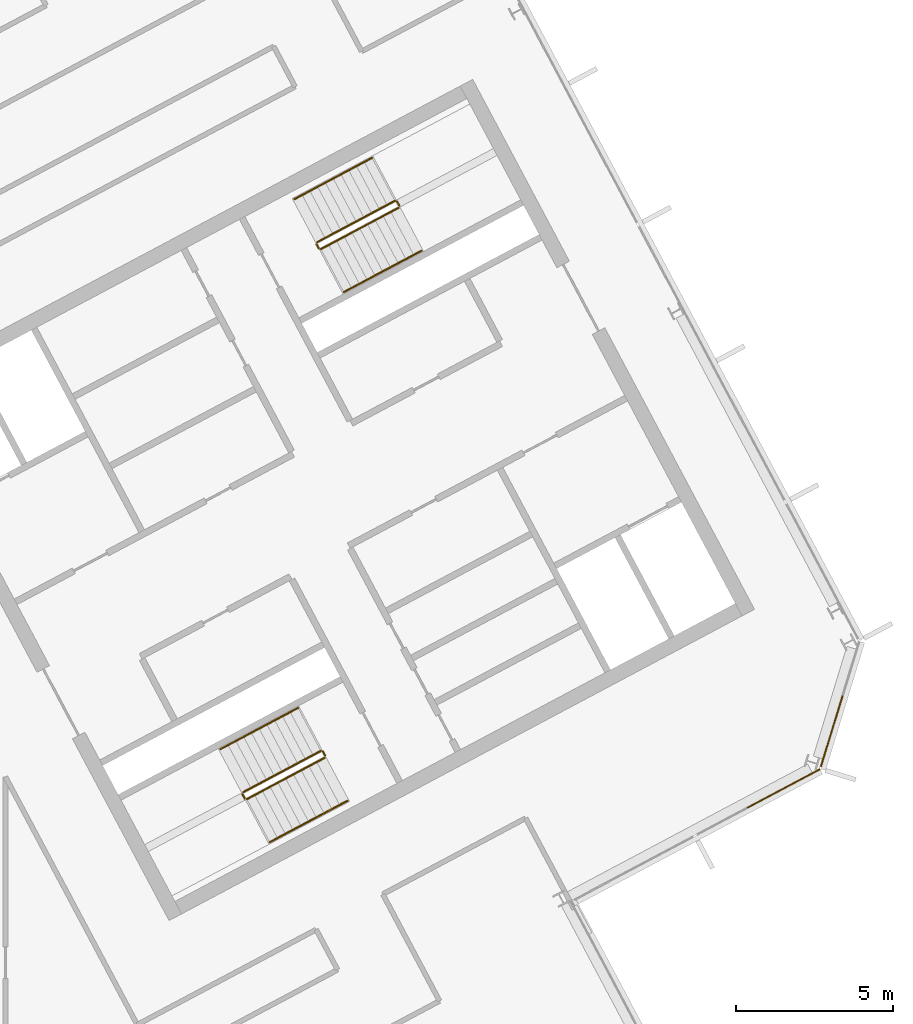
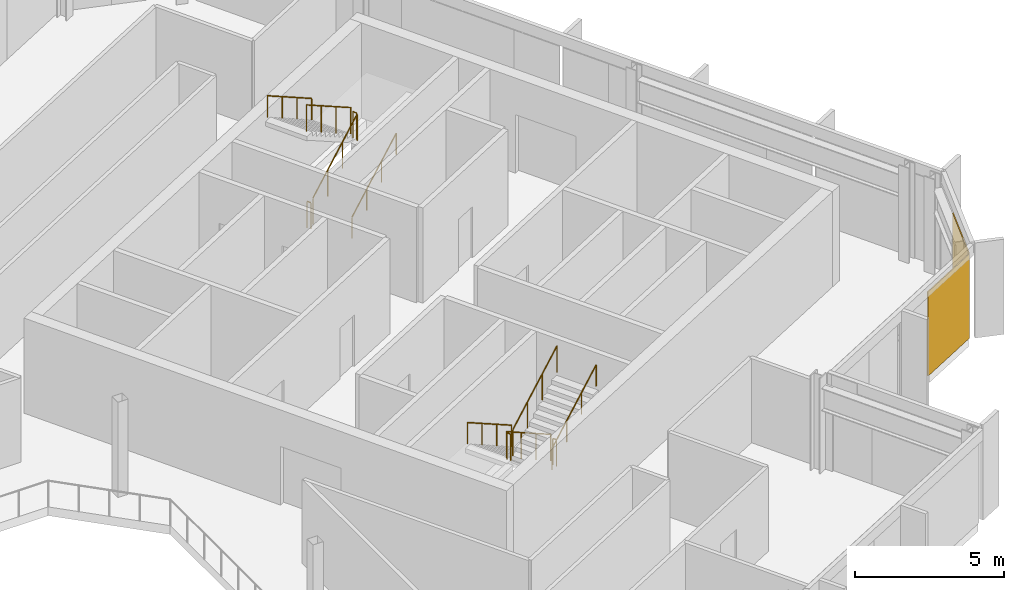
# One storey, part 25 of 26: 12 railings, 2 coverings, 2 elements without a shape of their own.
"""IFC4 building model written with IfcOpenShell, lengths in metres."""

from ifc_helpers import new_model, si_unit, direction, frame, origin, origin_2d, place, context, subcontext, project, spatial, polyline, rectangle, outline, extrude, material, layer, layer_set, type_object, element, aggregate, save


model = new_model("IFC4")

# Units and contexts
model_context = context("Model", 3, precision=1e-05, world=origin(), true_north=direction((0.0, 1.0)))
body_context = subcontext(model_context, "Body", "Model", "MODEL_VIEW")
ifc_project = project(units=[si_unit("LENGTHUNIT", "METRE"), si_unit("AREAUNIT", "SQUARE_METRE"), si_unit("VOLUMEUNIT", "CUBIC_METRE"), si_unit("PLANEANGLEUNIT", "RADIAN"), si_unit("MASSUNIT", "GRAM", prefix="KILO")], contexts=[model_context])

# Site, building, storey
site_placement = place(None, origin())
site = spatial("IfcSite", under=ifc_project, at=site_placement, CompositionType="ELEMENT")
building_placement = place(site_placement, origin())
building = spatial("IfcBuilding", under=site, at=building_placement, Name="Cormorant Relay Tower", CompositionType="ELEMENT")
storey_placement = place(building_placement, frame((0.0, 0.0, 316.5)))
storey = spatial("IfcBuildingStorey", under=building, at=storey_placement, Name="L72", CompositionType="ELEMENT", Elevation=316.5)

# Curtain wall, covering
ifc_material_1 = material(Name="Aluminium 6063-T6 anodised bronze", Category="aluminium")
ifc_layer_1 = layer(ifc_material_1, 0.199951171875)
ifc_layer_set_1 = layer_set([ifc_layer_1], Name="CW1 unitised bronze curtain wall with vertical fins")
curtain_wall_type = type_object("IfcCurtainWallType", Name="CW1 unitised bronze curtain wall with vertical fins", PredefinedType="NOTDEFINED", material=ifc_layer_set_1)
curtain_wall_1_placement = place(storey_placement, origin())
curtain_wall_1 = element("IfcCurtainWall", 1, at=curtain_wall_1_placement, inside=storey, type_object=curtain_wall_type, Name="CW1 curtain wall 4", PredefinedType="NOTDEFINED")
ifc_material_2 = material(Name="Pale bronze anodised aluminium insulated panel", Category="aluminium")
ifc_layer_2 = layer(ifc_material_2, 0.0400390625)
ifc_layer_set_2 = layer_set([ifc_layer_2], Name="CW1 pale bronze insulated panel 40")
covering_type = type_object("IfcCoveringType", Name="CW1 pale bronze insulated panel 40", PredefinedType="CLADDING", material=ifc_layer_set_2)
covering_1_placement = place(storey_placement, frame((38.561767578125, 3.492431640625, 0.0), z_axis=(0.0, 0.0, 1.0), x_axis=(0.882947592859, 0.469471562786, 0.0)))
covering_1 = element("IfcCovering", 2, at=covering_1_placement, type_object=covering_type, Name="CW1 panel S03", PredefinedType="CLADDING", context=body_context, shape_type="SweptSolid", body=[
    extrude(rectangle(XDim=2.625, YDim=0.0400390625, at=origin_2d()), origin(), (0.0, 0.0, 1.0), 3.449951171875),
])
aggregate(curtain_wall_1, [covering_1])

curtain_wall_2_placement = place(storey_placement, origin())
curtain_wall_2 = element("IfcCurtainWall", 3, at=curtain_wall_2_placement, inside=storey, type_object=curtain_wall_type, Name="CW1 curtain wall 5", PredefinedType="NOTDEFINED")
covering_2_placement = place(storey_placement, frame((40.098388671875, 5.32421875, 0.0), z_axis=(0.0, 0.0, 1.0), x_axis=(0.292371704723, 0.956304755963, 0.0)))
covering_2 = element("IfcCovering", 4, at=covering_2_placement, type_object=covering_type, Name="CW1 panel S00", PredefinedType="CLADDING", context=body_context, shape_type="SweptSolid", body=[
    extrude(rectangle(XDim=2.36767578125, YDim=0.0400390625, at=origin_2d()), origin(), (0.0, 0.0, 1.0), 3.449951171875),
])
aggregate(curtain_wall_2, [covering_2])

# Railings
ifc_material_3 = material(Name="Steel ASTM A572 Grade 50 (Fy 345 MPa)", Category="steel")
railing_type_1 = type_object("IfcRailingType", Name="Stair guard 1100", PredefinedType="GUARDRAIL", material=ifc_material_3)
railing_1_placement = place(storey_placement, frame((23.83837890625, 4.6904296875, 0.17724609375)))
element("IfcRailing", 5, at=railing_1_placement, inside=storey, type_object=railing_type_1, Name="L72 B1 stair guard 1", PredefinedType="GUARDRAIL", context=body_context, shape_type="SweptSolid", body=[
    extrude(outline(polyline([(0.022216796875, 0.00927734375), (0.00927734375, 0.022216796875), (-0.00927734375, 0.022216796875), (-0.022216796875, 0.00927734375), (-0.022216796875, -0.00927734375), (-0.00927734375, -0.022216796875), (0.00927734375, -0.022216796875), (0.022216796875, -0.00927734375), (0.022216796875, 0.00927734375)])), frame((0.0, 0.0, 1.076171875), z_axis=(-0.746033882577, -0.396627473466, 0.534901947407), x_axis=(0.469429322983, -0.882970050864, 0.0)), (0.0, 0.0, 1.0), 3.31396484375),
    extrude(outline(polyline([(0.019287109375, 0.008056640625), (0.008056640625, 0.019287109375), (-0.008056640625, 0.019287109375), (-0.019287109375, 0.008056640625), (-0.019287109375, -0.008056640625), (-0.008056640625, -0.019287109375), (0.008056640625, -0.019287109375), (0.019287109375, -0.008056640625), (0.019287109375, 0.008056640625)])), origin(), (0.0, 0.0, 1.0), 1.052001953125),
    extrude(outline(polyline([(0.019287109375, 0.008056640625), (0.008056640625, 0.019287109375), (-0.008056640625, 0.019287109375), (-0.019287109375, 0.008056640625), (-0.019287109375, -0.008056640625), (-0.008056640625, -0.019287109375), (0.008056640625, -0.019287109375), (0.019287109375, -0.008056640625), (0.019287109375, 0.008056640625)])), frame((-0.82421875, -0.438232421875, 0.5908203125)), (0.0, 0.0, 1.0), 1.052001953125),
    extrude(outline(polyline([(0.019287109375, 0.008056640625), (0.008056640625, 0.019287109375), (-0.008056640625, 0.019287109375), (-0.019287109375, 0.008056640625), (-0.019287109375, -0.008056640625), (-0.008056640625, -0.019287109375), (0.008056640625, -0.019287109375), (0.019287109375, -0.008056640625), (0.019287109375, 0.008056640625)])), frame((-1.648193359375, -0.876220703125, 1.181884765625)), (0.0, 0.0, 1.0), 1.052001953125),
    extrude(outline(polyline([(0.019287109375, 0.008056640625), (0.008056640625, 0.019287109375), (-0.008056640625, 0.019287109375), (-0.019287109375, 0.008056640625), (-0.019287109375, -0.008056640625), (-0.008056640625, -0.019287109375), (0.008056640625, -0.019287109375), (0.019287109375, -0.008056640625), (0.019287109375, 0.008056640625)])), frame((-2.472412109375, -1.314453125, 1.772705078125)), (0.0, 0.0, 1.0), 1.052001953125),
])
railing_2_placement = place(storey_placement, frame((21.345458984375, 3.308349609375, 1.949951171875)))
element("IfcRailing", 6, at=railing_2_placement, inside=storey, type_object=railing_type_1, Name="L72 B1 stair guard 2", PredefinedType="GUARDRAIL", context=body_context, shape_type="SweptSolid", body=[
    extrude(outline(polyline([(0.022216796875, 0.00927734375), (0.00927734375, 0.022216796875), (-0.00927734375, 0.022216796875), (-0.022216796875, 0.00927734375), (-0.022216796875, -0.00927734375), (-0.00927734375, -0.022216796875), (0.00927734375, -0.022216796875), (0.022216796875, -0.00927734375), (0.022216796875, 0.00927734375)])), frame((0.0, 0.0, 1.076171875), z_axis=(0.46856034887, -0.8834314911, 0.0), x_axis=(0.8834314911, 0.46856034887, 0.0)), (0.0, 0.0, 1.0), 0.150146484375),
    extrude(outline(polyline([(0.019287109375, 0.008056640625), (0.008056640625, 0.019287109375), (-0.008056640625, 0.019287109375), (-0.019287109375, 0.008056640625), (-0.019287109375, -0.008056640625), (-0.008056640625, -0.019287109375), (0.008056640625, -0.019287109375), (0.019287109375, -0.008056640625), (0.019287109375, 0.008056640625)])), origin(), (0.0, 0.0, 1.0), 1.052001953125),
    extrude(outline(polyline([(0.019287109375, 0.008056640625), (0.008056640625, 0.019287109375), (-0.008056640625, 0.019287109375), (-0.019287109375, 0.008056640625), (-0.019287109375, -0.008056640625), (-0.008056640625, -0.019287109375), (0.008056640625, -0.019287109375), (0.019287109375, -0.008056640625), (0.019287109375, 0.008056640625)])), frame((0.0703125, -0.132568359375, 0.0)), (0.0, 0.0, 1.0), 1.052001953125),
])
railing_3_placement = place(storey_placement, frame((21.4833984375, 3.1552734375, 2.127197265625)))
element("IfcRailing", 7, at=railing_3_placement, inside=storey, type_object=railing_type_1, Name="L72 B1 stair guard 3", PredefinedType="GUARDRAIL", context=body_context, shape_type="SweptSolid", body=[
    extrude(outline(polyline([(0.022216796875, 0.00927734375), (0.00927734375, 0.022216796875), (-0.00927734375, 0.022216796875), (-0.022216796875, 0.00927734375), (-0.022216796875, -0.00927734375), (-0.00927734375, -0.022216796875), (0.00927734375, -0.022216796875), (0.022216796875, -0.00927734375), (0.022216796875, 0.00927734375)])), frame((0.0, 0.0, 1.076171875), z_axis=(0.746001213114, 0.396649272309, 0.534931345884), x_axis=(-0.469465464807, 0.882950835185, 0.0)), (0.0, 0.0, 1.0), 3.31396484375),
    extrude(outline(polyline([(0.019287109375, 0.008056640625), (0.008056640625, 0.019287109375), (-0.008056640625, 0.019287109375), (-0.019287109375, 0.008056640625), (-0.019287109375, -0.008056640625), (-0.008056640625, -0.019287109375), (0.008056640625, -0.019287109375), (0.019287109375, -0.008056640625), (0.019287109375, 0.008056640625)])), origin(), (0.0, 0.0, 1.0), 1.052001953125),
    extrude(outline(polyline([(0.019287109375, 0.008056640625), (0.008056640625, 0.019287109375), (-0.008056640625, 0.019287109375), (-0.019287109375, 0.008056640625), (-0.019287109375, -0.008056640625), (-0.008056640625, -0.019287109375), (0.008056640625, -0.019287109375), (0.019287109375, -0.008056640625), (0.019287109375, 0.008056640625)])), frame((0.823974609375, 0.438232421875, 0.5908203125)), (0.0, 0.0, 1.0), 1.052001953125),
    extrude(outline(polyline([(0.019287109375, 0.008056640625), (0.008056640625, 0.019287109375), (-0.008056640625, 0.019287109375), (-0.019287109375, 0.008056640625), (-0.019287109375, -0.008056640625), (-0.008056640625, -0.019287109375), (0.008056640625, -0.019287109375), (0.019287109375, -0.008056640625), (0.019287109375, 0.008056640625)])), frame((1.648193359375, 0.876220703125, 1.181884765625)), (0.0, 0.0, 1.0), 1.052001953125),
    extrude(outline(polyline([(0.019287109375, 0.008056640625), (0.008056640625, 0.019287109375), (-0.008056640625, 0.019287109375), (-0.019287109375, 0.008056640625), (-0.019287109375, -0.008056640625), (-0.008056640625, -0.019287109375), (0.008056640625, -0.019287109375), (0.019287109375, -0.008056640625), (0.019287109375, 0.008056640625)])), frame((2.47216796875, 1.314453125, 1.772705078125)), (0.0, 0.0, 1.0), 1.052001953125),
])
railing_4_placement = place(storey_placement, frame((23.906005859375, 4.669677734375, 0.0)))
element("IfcRailing", 8, at=railing_4_placement, inside=storey, type_object=railing_type_1, Name="L72 B1 stair guard 4", PredefinedType="GUARDRAIL", context=body_context, shape_type="SweptSolid", body=[
    extrude(outline(polyline([(0.022216796875, 0.00927734375), (0.00927734375, 0.022216796875), (-0.00927734375, 0.022216796875), (-0.022216796875, 0.00927734375), (-0.022216796875, -0.00927734375), (-0.00927734375, -0.022216796875), (0.00927734375, -0.022216796875), (0.022216796875, -0.00927734375), (0.022216796875, 0.00927734375)])), frame((0.0, 0.0, 1.076171875), z_axis=(0.469234640946, -0.883073525669, 0.0), x_axis=(0.883073525669, 0.469234640946, 0.0)), (0.0, 0.0, 1.0), 0.14990234375),
    extrude(outline(polyline([(0.019287109375, 0.008056640625), (0.008056640625, 0.019287109375), (-0.008056640625, 0.019287109375), (-0.019287109375, 0.008056640625), (-0.019287109375, -0.008056640625), (-0.008056640625, -0.019287109375), (0.008056640625, -0.019287109375), (0.019287109375, -0.008056640625), (0.019287109375, 0.008056640625)])), origin(), (0.0, 0.0, 1.0), 1.052001953125),
    extrude(outline(polyline([(0.019287109375, 0.008056640625), (0.008056640625, 0.019287109375), (-0.008056640625, 0.019287109375), (-0.019287109375, 0.008056640625), (-0.019287109375, -0.008056640625), (-0.008056640625, -0.019287109375), (0.008056640625, -0.019287109375), (0.019287109375, -0.008056640625), (0.019287109375, 0.008056640625)])), frame((0.0703125, -0.13232421875, 0.0)), (0.0, 0.0, 1.0), 1.052001953125),
])
railing_5_placement = place(storey_placement, frame((23.8408203125, 20.6611328125, 0.17724609375)))
element("IfcRailing", 9, at=railing_5_placement, inside=storey, type_object=railing_type_1, Name="L72 B2 stair guard 1", PredefinedType="GUARDRAIL", context=body_context, shape_type="SweptSolid", body=[
    extrude(outline(polyline([(0.022216796875, 0.00927734375), (0.00927734375, 0.022216796875), (-0.00927734375, 0.022216796875), (-0.022216796875, 0.00927734375), (-0.022216796875, -0.00927734375), (-0.00927734375, -0.022216796875), (0.00927734375, -0.022216796875), (0.022216796875, -0.00927734375), (0.022216796875, 0.00927734375)])), frame((0.0, 0.0, 1.076171875), z_axis=(0.746033882577, 0.396627473466, 0.534901947407), x_axis=(-0.469429322983, 0.882970050864, 0.0)), (0.0, 0.0, 1.0), 3.31396484375),
    extrude(outline(polyline([(0.019287109375, 0.008056640625), (0.008056640625, 0.019287109375), (-0.008056640625, 0.019287109375), (-0.019287109375, 0.008056640625), (-0.019287109375, -0.008056640625), (-0.008056640625, -0.019287109375), (0.008056640625, -0.019287109375), (0.019287109375, -0.008056640625), (0.019287109375, 0.008056640625)])), origin(), (0.0, 0.0, 1.0), 1.052001953125),
    extrude(outline(polyline([(0.019287109375, 0.008056640625), (0.008056640625, 0.019287109375), (-0.008056640625, 0.019287109375), (-0.019287109375, 0.008056640625), (-0.019287109375, -0.008056640625), (-0.008056640625, -0.019287109375), (0.008056640625, -0.019287109375), (0.019287109375, -0.008056640625), (0.019287109375, 0.008056640625)])), frame((0.82421875, 0.438232421875, 0.5908203125)), (0.0, 0.0, 1.0), 1.052001953125),
    extrude(outline(polyline([(0.019287109375, 0.008056640625), (0.008056640625, 0.019287109375), (-0.008056640625, 0.019287109375), (-0.019287109375, 0.008056640625), (-0.019287109375, -0.008056640625), (-0.008056640625, -0.019287109375), (0.008056640625, -0.019287109375), (0.019287109375, -0.008056640625), (0.019287109375, 0.008056640625)])), frame((1.648193359375, 0.876220703125, 1.181884765625)), (0.0, 0.0, 1.0), 1.052001953125),
    extrude(outline(polyline([(0.019287109375, 0.008056640625), (0.008056640625, 0.019287109375), (-0.008056640625, 0.019287109375), (-0.019287109375, 0.008056640625), (-0.019287109375, -0.008056640625), (-0.008056640625, -0.019287109375), (0.008056640625, -0.019287109375), (0.019287109375, -0.008056640625), (0.019287109375, 0.008056640625)])), frame((2.472412109375, 1.314453125, 1.772705078125)), (0.0, 0.0, 1.0), 1.052001953125),
])
railing_6_placement = place(storey_placement, frame((26.333740234375, 22.043212890625, 1.949951171875)))
element("IfcRailing", 10, at=railing_6_placement, inside=storey, type_object=railing_type_1, Name="L72 B2 stair guard 2", PredefinedType="GUARDRAIL", context=body_context, shape_type="SweptSolid", body=[
    extrude(outline(polyline([(0.022216796875, 0.00927734375), (0.00927734375, 0.022216796875), (-0.00927734375, 0.022216796875), (-0.022216796875, 0.00927734375), (-0.022216796875, -0.00927734375), (-0.00927734375, -0.022216796875), (0.00927734375, -0.022216796875), (0.022216796875, -0.00927734375), (0.022216796875, 0.00927734375)])), frame((0.0, 0.0, 1.076171875), z_axis=(-0.469234640946, 0.883073525669, 0.0), x_axis=(-0.883073525669, -0.469234640946, 0.0)), (0.0, 0.0, 1.0), 0.14990234375),
    extrude(outline(polyline([(0.019287109375, 0.008056640625), (0.008056640625, 0.019287109375), (-0.008056640625, 0.019287109375), (-0.019287109375, 0.008056640625), (-0.019287109375, -0.008056640625), (-0.008056640625, -0.019287109375), (0.008056640625, -0.019287109375), (0.019287109375, -0.008056640625), (0.019287109375, 0.008056640625)])), origin(), (0.0, 0.0, 1.0), 1.052001953125),
    extrude(outline(polyline([(0.019287109375, 0.008056640625), (0.008056640625, 0.019287109375), (-0.008056640625, 0.019287109375), (-0.019287109375, 0.008056640625), (-0.019287109375, -0.008056640625), (-0.008056640625, -0.019287109375), (0.008056640625, -0.019287109375), (0.019287109375, -0.008056640625), (0.019287109375, 0.008056640625)])), frame((-0.0703125, 0.13232421875, 0.0)), (0.0, 0.0, 1.0), 1.052001953125),
])
railing_7_placement = place(storey_placement, frame((26.19580078125, 22.1962890625, 2.127197265625)))
element("IfcRailing", 11, at=railing_7_placement, inside=storey, type_object=railing_type_1, Name="L72 B2 stair guard 3", PredefinedType="GUARDRAIL", context=body_context, shape_type="SweptSolid", body=[
    extrude(outline(polyline([(0.022216796875, 0.00927734375), (0.00927734375, 0.022216796875), (-0.00927734375, 0.022216796875), (-0.022216796875, 0.00927734375), (-0.022216796875, -0.00927734375), (-0.00927734375, -0.022216796875), (0.00927734375, -0.022216796875), (0.022216796875, -0.00927734375), (0.022216796875, 0.00927734375)])), frame((0.0, 0.0, 1.076171875), z_axis=(-0.746033882577, -0.396627473466, 0.534901947407), x_axis=(0.469429322983, -0.882970050864, 0.0)), (0.0, 0.0, 1.0), 3.31396484375),
    extrude(outline(polyline([(0.019287109375, 0.008056640625), (0.008056640625, 0.019287109375), (-0.008056640625, 0.019287109375), (-0.019287109375, 0.008056640625), (-0.019287109375, -0.008056640625), (-0.008056640625, -0.019287109375), (0.008056640625, -0.019287109375), (0.019287109375, -0.008056640625), (0.019287109375, 0.008056640625)])), origin(), (0.0, 0.0, 1.0), 1.052001953125),
    extrude(outline(polyline([(0.019287109375, 0.008056640625), (0.008056640625, 0.019287109375), (-0.008056640625, 0.019287109375), (-0.019287109375, 0.008056640625), (-0.019287109375, -0.008056640625), (-0.008056640625, -0.019287109375), (0.008056640625, -0.019287109375), (0.019287109375, -0.008056640625), (0.019287109375, 0.008056640625)])), frame((-0.82421875, -0.438232421875, 0.5908203125)), (0.0, 0.0, 1.0), 1.052001953125),
    extrude(outline(polyline([(0.019287109375, 0.008056640625), (0.008056640625, 0.019287109375), (-0.008056640625, 0.019287109375), (-0.019287109375, 0.008056640625), (-0.019287109375, -0.008056640625), (-0.008056640625, -0.019287109375), (0.008056640625, -0.019287109375), (0.019287109375, -0.008056640625), (0.019287109375, 0.008056640625)])), frame((-1.648193359375, -0.876220703125, 1.181884765625)), (0.0, 0.0, 1.0), 1.052001953125),
    extrude(outline(polyline([(0.019287109375, 0.008056640625), (0.008056640625, 0.019287109375), (-0.008056640625, 0.019287109375), (-0.019287109375, 0.008056640625), (-0.019287109375, -0.008056640625), (-0.008056640625, -0.019287109375), (0.008056640625, -0.019287109375), (0.019287109375, -0.008056640625), (0.019287109375, 0.008056640625)])), frame((-2.472412109375, -1.314453125, 1.772705078125)), (0.0, 0.0, 1.0), 1.052001953125),
])
railing_8_placement = place(storey_placement, frame((23.773193359375, 20.681640625, 0.0)))
element("IfcRailing", 12, at=railing_8_placement, inside=storey, type_object=railing_type_1, Name="L72 B2 stair guard 4", PredefinedType="GUARDRAIL", context=body_context, shape_type="SweptSolid", body=[
    extrude(outline(polyline([(0.022216796875, 0.00927734375), (0.00927734375, 0.022216796875), (-0.00927734375, 0.022216796875), (-0.022216796875, 0.00927734375), (-0.022216796875, -0.00927734375), (-0.00927734375, -0.022216796875), (0.00927734375, -0.022216796875), (0.022216796875, -0.00927734375), (0.022216796875, 0.00927734375)])), frame((0.0, 0.0, 1.076171875), z_axis=(-0.46856034887, 0.8834314911, 0.0), x_axis=(-0.8834314911, -0.46856034887, 0.0)), (0.0, 0.0, 1.0), 0.150146484375),
    extrude(outline(polyline([(0.019287109375, 0.008056640625), (0.008056640625, 0.019287109375), (-0.008056640625, 0.019287109375), (-0.019287109375, 0.008056640625), (-0.019287109375, -0.008056640625), (-0.008056640625, -0.019287109375), (0.008056640625, -0.019287109375), (0.019287109375, -0.008056640625), (0.019287109375, 0.008056640625)])), origin(), (0.0, 0.0, 1.0), 1.052001953125),
    extrude(outline(polyline([(0.019287109375, 0.008056640625), (0.008056640625, 0.019287109375), (-0.008056640625, 0.019287109375), (-0.019287109375, 0.008056640625), (-0.019287109375, -0.008056640625), (-0.008056640625, -0.019287109375), (0.008056640625, -0.019287109375), (0.019287109375, -0.008056640625), (0.019287109375, 0.008056640625)])), frame((-0.0703125, 0.132568359375, 0.0)), (0.0, 0.0, 1.0), 1.052001953125),
])
ifc_material_4 = material(Name="Steel ASTM A572 Grade 50 (Fy 345 MPa)", Category="steel")
railing_type_2 = type_object("IfcRailingType", Name="Stair handrail 900", PredefinedType="HANDRAIL", material=ifc_material_4)
railing_9_placement = place(storey_placement, frame((23.110595703125, 6.05908203125, 0.17724609375)))
element("IfcRailing", 13, at=railing_9_placement, inside=storey, type_object=railing_type_2, Name="L72 B1 stair handrail 1", PredefinedType="HANDRAIL", context=body_context, shape_type="SweptSolid", body=[
    extrude(outline(polyline([(0.022216796875, 0.00927734375), (0.00927734375, 0.022216796875), (-0.00927734375, 0.022216796875), (-0.022216796875, 0.00927734375), (-0.022216796875, -0.00927734375), (-0.00927734375, -0.022216796875), (0.00927734375, -0.022216796875), (0.022216796875, -0.00927734375), (0.022216796875, 0.00927734375)])), frame((0.0, 0.0, 0.8759765625), z_axis=(-0.745979412481, -0.396711350603, 0.534915713414), x_axis=(0.469533439143, -0.882914689835, 0.0)), (0.0, 0.0, 1.0), 3.31396484375),
    extrude(outline(polyline([(0.019287109375, 0.008056640625), (0.008056640625, 0.019287109375), (-0.008056640625, 0.019287109375), (-0.019287109375, 0.008056640625), (-0.019287109375, -0.008056640625), (-0.008056640625, -0.019287109375), (0.008056640625, -0.019287109375), (0.019287109375, -0.008056640625), (0.019287109375, 0.008056640625)])), origin(), (0.0, 0.0, 1.0), 0.851806640625),
    extrude(outline(polyline([(0.019287109375, 0.008056640625), (0.008056640625, 0.019287109375), (-0.008056640625, 0.019287109375), (-0.019287109375, 0.008056640625), (-0.019287109375, -0.008056640625), (-0.008056640625, -0.019287109375), (0.008056640625, -0.019287109375), (0.019287109375, -0.008056640625), (0.019287109375, 0.008056640625)])), frame((-0.823974609375, -0.438232421875, 0.5908203125)), (0.0, 0.0, 1.0), 0.851806640625),
    extrude(outline(polyline([(0.019287109375, 0.008056640625), (0.008056640625, 0.019287109375), (-0.008056640625, 0.019287109375), (-0.019287109375, 0.008056640625), (-0.019287109375, -0.008056640625), (-0.008056640625, -0.019287109375), (0.008056640625, -0.019287109375), (0.019287109375, -0.008056640625), (0.019287109375, 0.008056640625)])), frame((-1.648193359375, -0.87646484375, 1.181884765625)), (0.0, 0.0, 1.0), 0.851806640625),
    extrude(outline(polyline([(0.019287109375, 0.008056640625), (0.008056640625, 0.019287109375), (-0.008056640625, 0.019287109375), (-0.019287109375, 0.008056640625), (-0.019287109375, -0.008056640625), (-0.008056640625, -0.019287109375), (0.008056640625, -0.019287109375), (0.019287109375, -0.008056640625), (0.019287109375, 0.008056640625)])), frame((-2.47216796875, -1.314697265625, 1.772705078125)), (0.0, 0.0, 1.0), 0.851806640625),
])
railing_10_placement = place(storey_placement, frame((22.211181640625, 1.78662109375, 2.127197265625)))
element("IfcRailing", 14, at=railing_10_placement, inside=storey, type_object=railing_type_2, Name="L72 B1 stair handrail 2", PredefinedType="HANDRAIL", context=body_context, shape_type="SweptSolid", body=[
    extrude(outline(polyline([(0.022216796875, 0.00927734375), (0.00927734375, 0.022216796875), (-0.00927734375, 0.022216796875), (-0.022216796875, 0.00927734375), (-0.022216796875, -0.00927734375), (-0.00927734375, -0.022216796875), (0.00927734375, -0.022216796875), (0.022216796875, -0.00927734375), (0.022216796875, 0.00927734375)])), frame((0.0, 0.0, 0.8759765625), z_axis=(0.746001213114, 0.396649272309, 0.534931345884), x_axis=(-0.469465464807, 0.882950835185, 0.0)), (0.0, 0.0, 1.0), 3.31396484375),
    extrude(outline(polyline([(0.019287109375, 0.008056640625), (0.008056640625, 0.019287109375), (-0.008056640625, 0.019287109375), (-0.019287109375, 0.008056640625), (-0.019287109375, -0.008056640625), (-0.008056640625, -0.019287109375), (0.008056640625, -0.019287109375), (0.019287109375, -0.008056640625), (0.019287109375, 0.008056640625)])), origin(), (0.0, 0.0, 1.0), 0.851806640625),
    extrude(outline(polyline([(0.019287109375, 0.008056640625), (0.008056640625, 0.019287109375), (-0.008056640625, 0.019287109375), (-0.019287109375, 0.008056640625), (-0.019287109375, -0.008056640625), (-0.008056640625, -0.019287109375), (0.008056640625, -0.019287109375), (0.019287109375, -0.008056640625), (0.019287109375, 0.008056640625)])), frame((0.823974609375, 0.438232421875, 0.5908203125)), (0.0, 0.0, 1.0), 0.851806640625),
    extrude(outline(polyline([(0.019287109375, 0.008056640625), (0.008056640625, 0.019287109375), (-0.008056640625, 0.019287109375), (-0.019287109375, 0.008056640625), (-0.019287109375, -0.008056640625), (-0.008056640625, -0.019287109375), (0.008056640625, -0.019287109375), (0.019287109375, -0.008056640625), (0.019287109375, 0.008056640625)])), frame((1.648193359375, 0.876220703125, 1.181884765625)), (0.0, 0.0, 1.0), 0.851806640625),
    extrude(outline(polyline([(0.019287109375, 0.008056640625), (0.008056640625, 0.019287109375), (-0.008056640625, 0.019287109375), (-0.019287109375, 0.008056640625), (-0.019287109375, -0.008056640625), (-0.008056640625, -0.019287109375), (0.008056640625, -0.019287109375), (0.019287109375, -0.008056640625), (0.019287109375, 0.008056640625)])), frame((2.47216796875, 1.314453125, 1.772705078125)), (0.0, 0.0, 1.0), 0.851806640625),
])
railing_11_placement = place(storey_placement, frame((24.568603515625, 19.29248046875, 0.17724609375)))
element("IfcRailing", 15, at=railing_11_placement, inside=storey, type_object=railing_type_2, Name="L72 B2 stair handrail 1", PredefinedType="HANDRAIL", context=body_context, shape_type="SweptSolid", body=[
    extrude(outline(polyline([(0.022216796875, 0.00927734375), (0.00927734375, 0.022216796875), (-0.00927734375, 0.022216796875), (-0.022216796875, 0.00927734375), (-0.022216796875, -0.00927734375), (-0.00927734375, -0.022216796875), (0.00927734375, -0.022216796875), (0.022216796875, -0.00927734375), (0.022216796875, 0.00927734375)])), frame((0.0, 0.0, 0.8759765625), z_axis=(0.746001213114, 0.396649272309, 0.534931345884), x_axis=(-0.469465464807, 0.882950835185, 0.0)), (0.0, 0.0, 1.0), 3.31396484375),
    extrude(outline(polyline([(0.019287109375, 0.008056640625), (0.008056640625, 0.019287109375), (-0.008056640625, 0.019287109375), (-0.019287109375, 0.008056640625), (-0.019287109375, -0.008056640625), (-0.008056640625, -0.019287109375), (0.008056640625, -0.019287109375), (0.019287109375, -0.008056640625), (0.019287109375, 0.008056640625)])), origin(), (0.0, 0.0, 1.0), 0.851806640625),
    extrude(outline(polyline([(0.019287109375, 0.008056640625), (0.008056640625, 0.019287109375), (-0.008056640625, 0.019287109375), (-0.019287109375, 0.008056640625), (-0.019287109375, -0.008056640625), (-0.008056640625, -0.019287109375), (0.008056640625, -0.019287109375), (0.019287109375, -0.008056640625), (0.019287109375, 0.008056640625)])), frame((0.823974609375, 0.438232421875, 0.5908203125)), (0.0, 0.0, 1.0), 0.851806640625),
    extrude(outline(polyline([(0.019287109375, 0.008056640625), (0.008056640625, 0.019287109375), (-0.008056640625, 0.019287109375), (-0.019287109375, 0.008056640625), (-0.019287109375, -0.008056640625), (-0.008056640625, -0.019287109375), (0.008056640625, -0.019287109375), (0.019287109375, -0.008056640625), (0.019287109375, 0.008056640625)])), frame((1.648193359375, 0.876220703125, 1.181884765625)), (0.0, 0.0, 1.0), 0.851806640625),
    extrude(outline(polyline([(0.019287109375, 0.008056640625), (0.008056640625, 0.019287109375), (-0.008056640625, 0.019287109375), (-0.019287109375, 0.008056640625), (-0.019287109375, -0.008056640625), (-0.008056640625, -0.019287109375), (0.008056640625, -0.019287109375), (0.019287109375, -0.008056640625), (0.019287109375, 0.008056640625)])), frame((2.47216796875, 1.314453125, 1.772705078125)), (0.0, 0.0, 1.0), 0.851806640625),
])
railing_12_placement = place(storey_placement, frame((25.468017578125, 23.56494140625, 2.127197265625)))
element("IfcRailing", 16, at=railing_12_placement, inside=storey, type_object=railing_type_2, Name="L72 B2 stair handrail 2", PredefinedType="HANDRAIL", context=body_context, shape_type="SweptSolid", body=[
    extrude(outline(polyline([(0.022216796875, 0.00927734375), (0.00927734375, 0.022216796875), (-0.00927734375, 0.022216796875), (-0.022216796875, 0.00927734375), (-0.022216796875, -0.00927734375), (-0.00927734375, -0.022216796875), (0.00927734375, -0.022216796875), (0.022216796875, -0.00927734375), (0.022216796875, 0.00927734375)])), frame((0.0, 0.0, 0.8759765625), z_axis=(-0.745979412481, -0.396711350603, 0.534915713414), x_axis=(0.469533439143, -0.882914689835, 0.0)), (0.0, 0.0, 1.0), 3.31396484375),
    extrude(outline(polyline([(0.019287109375, 0.008056640625), (0.008056640625, 0.019287109375), (-0.008056640625, 0.019287109375), (-0.019287109375, 0.008056640625), (-0.019287109375, -0.008056640625), (-0.008056640625, -0.019287109375), (0.008056640625, -0.019287109375), (0.019287109375, -0.008056640625), (0.019287109375, 0.008056640625)])), origin(), (0.0, 0.0, 1.0), 0.851806640625),
    extrude(outline(polyline([(0.019287109375, 0.008056640625), (0.008056640625, 0.019287109375), (-0.008056640625, 0.019287109375), (-0.019287109375, 0.008056640625), (-0.019287109375, -0.008056640625), (-0.008056640625, -0.019287109375), (0.008056640625, -0.019287109375), (0.019287109375, -0.008056640625), (0.019287109375, 0.008056640625)])), frame((-0.823974609375, -0.438232421875, 0.5908203125)), (0.0, 0.0, 1.0), 0.851806640625),
    extrude(outline(polyline([(0.019287109375, 0.008056640625), (0.008056640625, 0.019287109375), (-0.008056640625, 0.019287109375), (-0.019287109375, 0.008056640625), (-0.019287109375, -0.008056640625), (-0.008056640625, -0.019287109375), (0.008056640625, -0.019287109375), (0.019287109375, -0.008056640625), (0.019287109375, 0.008056640625)])), frame((-1.648193359375, -0.87646484375, 1.181884765625)), (0.0, 0.0, 1.0), 0.851806640625),
    extrude(outline(polyline([(0.019287109375, 0.008056640625), (0.008056640625, 0.019287109375), (-0.008056640625, 0.019287109375), (-0.019287109375, 0.008056640625), (-0.019287109375, -0.008056640625), (-0.008056640625, -0.019287109375), (0.008056640625, -0.019287109375), (0.019287109375, -0.008056640625), (0.019287109375, 0.008056640625)])), frame((-2.47216796875, -1.314697265625, 1.772705078125)), (0.0, 0.0, 1.0), 0.851806640625),
])

save(model, "model.ifc")
